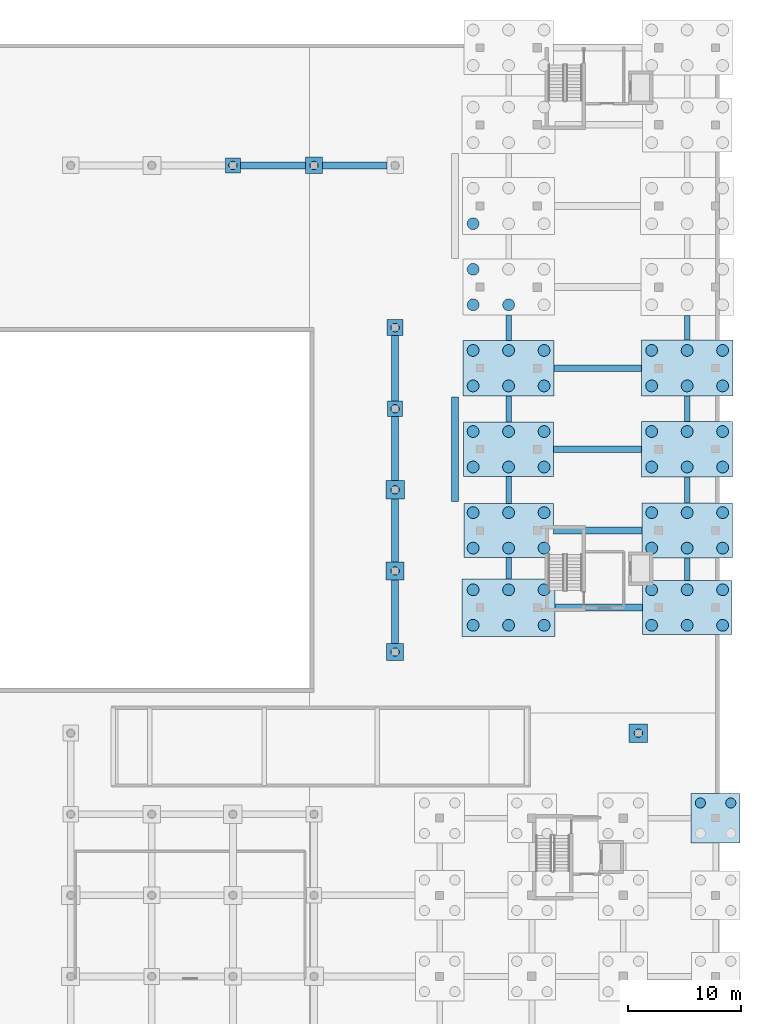
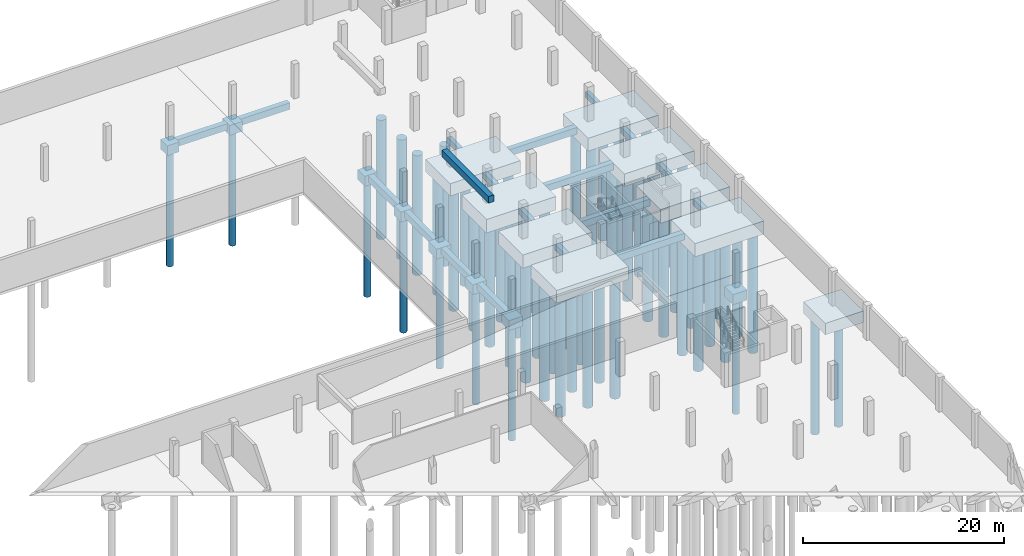
# One storey, part 12 of 36: 62 piles, 36 footings.
"""IFC4 building model written with IfcOpenShell, lengths in metres."""

from ifc_helpers import new_model, si_unit, derived_unit, direction, frame, origin, origin_2d, place, context, subcontext, project, spatial, polyline, rectangle, circle, outline, extrude, material, material_profile, profile_set, type_object, element, save


model = new_model("IFC4")

# Units and contexts
model_context = context("Model", 3, precision=1e-05, world=origin(), true_north=direction((0.0, 1.0)))
body_context = subcontext(model_context, "Body", "Model", "MODEL_VIEW")
ifc_project = project(units=[si_unit("LENGTHUNIT", "METRE"), si_unit("AREAUNIT", "SQUARE_METRE"), si_unit("VOLUMEUNIT", "CUBIC_METRE"), si_unit("PLANEANGLEUNIT", "RADIAN"), si_unit("MASSUNIT", "GRAM", prefix="KILO"), derived_unit("THERMALTRANSMITTANCEUNIT", [(si_unit("MASSUNIT", "GRAM", prefix="KILO"), 1), (si_unit("TIMEUNIT", "SECOND"), -3), (si_unit("THERMODYNAMICTEMPERATUREUNIT", "KELVIN"), -1)])], contexts=[model_context])

# Site, building, storey
site_placement = place(None, origin())
site = spatial("IfcSite", under=ifc_project, at=site_placement, CompositionType="ELEMENT")
building_placement = place(site_placement, origin())
building = spatial("IfcBuilding", under=site, at=building_placement, Name="Ochrekiln Boulevard Commons", CompositionType="ELEMENT")
storey_placement = place(building_placement, frame((0.0, 0.0, -4.199951171875)))
storey = spatial("IfcBuildingStorey", under=building, at=storey_placement, Name="B1", CompositionType="ELEMENT", Elevation=-4.199951171875)

# Footings
ifc_material = material(Name="Concrete C35/45", Category="concrete")
footing_type_1 = type_object("IfcFootingType", Name="CAP-RC-1350x1350x1200", PredefinedType="PILE_CAP", material=ifc_material)
for number, where, z_axis, x_axis, name in (
    (1, (129.60009765625, 108.0, -1.5), (0.0, 0.0, 1.0), (1.0, 0.0, 0.0), "Reinforced Concrete Pile Cap PC-27 (162)"),
    (2, (144.0, 86.39990234375, -1.5), (0.0, 0.0, 1.0), (1.0, 0.0, 0.0), "Reinforced Concrete Pile Cap PC-27 (174)"),
):
    element("IfcFooting", number, at=place(storey_placement, frame(where, z_axis=z_axis, x_axis=x_axis)), inside=storey, type_object=footing_type_1, Name=name, PredefinedType="PILE_CAP", context=body_context, shape_type="SweptSolid", body=[
        extrude(rectangle(XDim=1.35009765625, YDim=1.35009765625, at=origin_2d()), origin(), (0.0, 0.0, 1.0), 1.199951171875),
    ])
footing_type_2 = type_object("IfcFootingType", Name="CAP-RC-1410x1410x1200", PredefinedType="PILE_CAP", material=ifc_material)
footing_1_placement = place(storey_placement, frame((144.0, 93.60009765625, -1.5), z_axis=(0.0, 0.0, 1.0), x_axis=(1.0, 0.0, 0.0)))
element("IfcFooting", 3, at=footing_1_placement, inside=storey, type_object=footing_type_2, Name="Reinforced Concrete Pile Cap PC-28 (175)", PredefinedType="PILE_CAP", context=body_context, shape_type="SweptSolid", body=[
    extrude(rectangle(XDim=1.409912109375, YDim=1.409912109375, at=origin_2d()), origin(), (0.0, 0.0, 1.0), 1.199951171875),
])
footing_type_3 = type_object("IfcFootingType", Name="CAP-RC-1470x1470x1200", PredefinedType="PILE_CAP", material=ifc_material)
footing_2_placement = place(storey_placement, frame((136.800048828125, 108.0, -1.5), z_axis=(0.0, 0.0, 1.0), x_axis=(1.0, 0.0, 0.0)))
element("IfcFooting", 4, at=footing_2_placement, inside=storey, type_object=footing_type_3, Name="Reinforced Concrete Pile Cap PC-29 (170)", PredefinedType="PILE_CAP", context=body_context, shape_type="SweptSolid", body=[
    extrude(rectangle(XDim=1.469970703125, YDim=1.469970703125, at=origin_2d()), origin(), (0.0, 0.0, 1.0), 1.199951171875),
])
footing_type_4 = type_object("IfcFootingType", Name="CAP-RC-1530x1530x1200", PredefinedType="PILE_CAP", material=ifc_material)
footing_3_placement = place(storey_placement, frame((144.0, 64.800048828125, -1.5), z_axis=(0.0, 0.0, 1.0), x_axis=(1.0, 0.0, 0.0)))
element("IfcFooting", 5, at=footing_3_placement, inside=storey, type_object=footing_type_4, Name="Reinforced Concrete Pile Cap PC-30 (171)", PredefinedType="PILE_CAP", context=body_context, shape_type="SweptSolid", body=[
    extrude(rectangle(XDim=1.530029296875, YDim=1.530029296875, at=origin_2d()), origin(), (0.0, 0.0, 1.0), 1.199951171875),
])
footing_type_5 = type_object("IfcFootingType", Name="CAP-RC-1590x1590x1200", PredefinedType="PILE_CAP", material=ifc_material)
footing_4_placement = place(storey_placement, frame((144.0, 72.0, -1.5), z_axis=(0.0, 0.0, 1.0), x_axis=(1.0, 0.0, 0.0)))
element("IfcFooting", 6, at=footing_4_placement, inside=storey, type_object=footing_type_5, Name="Reinforced Concrete Pile Cap PC-26 (172)", PredefinedType="PILE_CAP", context=body_context, shape_type="SweptSolid", body=[
    extrude(rectangle(XDim=1.590087890625, YDim=1.590087890625, at=origin_2d()), origin(), (0.0, 0.0, 1.0), 1.199951171875),
])
footing_type_6 = type_object("IfcFootingType", Name="CAP-RC-1650x1650x1200", PredefinedType="PILE_CAP", material=ifc_material)
for number, where, z_axis, x_axis, name in (
    (7, (144.0, 79.199951171875, -1.5), (0.0, 0.0, 1.0), (1.0, 0.0, 0.0), "Reinforced Concrete Pile Cap PC-17 (173)"),
    (8, (165.60009765625, 57.60009765625, -1.5), (0.0, 0.0, 1.0), (1.0, 0.0, 0.0), "Reinforced Concrete Pile Cap PC-17 (209)"),
):
    element("IfcFooting", number, at=place(storey_placement, frame(where, z_axis=z_axis, x_axis=x_axis)), inside=storey, type_object=footing_type_6, Name=name, PredefinedType="PILE_CAP", context=body_context, shape_type="SweptSolid", body=[
        extrude(rectangle(XDim=1.64990234375, YDim=1.64990234375, at=origin_2d()), origin(), (0.0, 0.0, 1.0), 1.199951171875),
    ])
footing_type_7 = type_object("IfcFootingType", Name="CAP-RC-4380x4380x1400", PredefinedType="PILE_CAP", material=ifc_material)
footing_5_placement = place(storey_placement, frame((172.449951171875, 50.050048828125, -1.699951171875), z_axis=(0.0, 0.0, 1.0), x_axis=(1.0, 0.0, 0.0)))
element("IfcFooting", 9, at=footing_5_placement, inside=storey, type_object=footing_type_7, Name="Reinforced Concrete Pile Cap PC-42 (225)", PredefinedType="PILE_CAP", context=body_context, shape_type="SweptSolid", body=[
    extrude(rectangle(XDim=4.3798828125, YDim=4.3798828125, at=origin_2d()), origin(), (0.0, 0.0, 1.0), 1.39990234375),
])
footing_type_8 = type_object("IfcFootingType", Name="CAP-RC-7950x4800x1600", PredefinedType="PILE_CAP", material=ifc_material)
for number, where, z_axis, x_axis, name in (
    (10, (154.074951171875, 75.60009765625, -1.900146484375), (0.0, 0.0, 1.0), (1.0, 0.0, 0.0), "Reinforced Concrete Pile Cap PC-23 (186)"),
    (11, (169.925048828125, 68.75, -1.900146484375), (0.0, 0.0, 1.0), (1.0, 0.0, 0.0), "Reinforced Concrete Pile Cap PC-23 (210)"),
):
    element("IfcFooting", number, at=place(storey_placement, frame(where, z_axis=z_axis, x_axis=x_axis)), inside=storey, type_object=footing_type_8, Name=name, PredefinedType="PILE_CAP", context=body_context, shape_type="SweptSolid", body=[
        extrude(rectangle(XDim=7.949951171875, YDim=4.800048828125, at=origin_2d()), origin(), (0.0, 0.0, 1.0), 1.60009765625),
    ])
footing_type_9 = type_object("IfcFootingType", Name="CAP-RC-8010x4860x1650", PredefinedType="PILE_CAP", material=ifc_material)
for number, where, z_axis, x_axis, name in (
    (12, (154.074951171875, 82.800048828125, -1.949951171875), (0.0, 0.0, 1.0), (1.0, 0.0, 0.0), "Reinforced Concrete Pile Cap PC-24 (187)"),
    (13, (169.925048828125, 75.60009765625, -1.949951171875), (0.0, 0.0, 1.0), (1.0, 0.0, 0.0), "Reinforced Concrete Pile Cap PC-24 (211)"),
):
    element("IfcFooting", number, at=place(storey_placement, frame(where, z_axis=z_axis, x_axis=x_axis)), inside=storey, type_object=footing_type_9, Name=name, PredefinedType="PILE_CAP", context=body_context, shape_type="SweptSolid", body=[
        extrude(rectangle(XDim=8.010009765625, YDim=4.860107421875, at=origin_2d()), origin(), (0.0, 0.0, 1.0), 1.64990234375),
    ])
footing_type_10 = type_object("IfcFootingType", Name="CAP-RC-8070x4920x1500", PredefinedType="PILE_CAP", material=ifc_material)
for number, where, z_axis, x_axis, name in (
    (14, (154.074951171875, 90.0, -1.800048828125), (0.0, 0.0, 1.0), (1.0, 0.0, 0.0), "Reinforced Concrete Pile Cap PC-25 (188)"),
    (15, (169.925048828125, 82.800048828125, -1.800048828125), (0.0, 0.0, 1.0), (1.0, 0.0, 0.0), "Reinforced Concrete Pile Cap PC-25 (212)"),
):
    element("IfcFooting", number, at=place(storey_placement, frame(where, z_axis=z_axis, x_axis=x_axis)), inside=storey, type_object=footing_type_10, Name=name, PredefinedType="PILE_CAP", context=body_context, shape_type="SweptSolid", body=[
        extrude(rectangle(XDim=8.070068359375, YDim=4.919921875, at=origin_2d()), origin(), (0.0, 0.0, 1.0), 1.5),
    ])
footing_type_11 = type_object("IfcFootingType", Name="CAP-RC-8130x4980x1550", PredefinedType="PILE_CAP", material=ifc_material)
footing_6_placement = place(storey_placement, frame((169.925048828125, 90.0, -1.85009765625), z_axis=(0.0, 0.0, 1.0), x_axis=(1.0, 0.0, 0.0)))
element("IfcFooting", 16, at=footing_6_placement, inside=storey, type_object=footing_type_11, Name="Reinforced Concrete Pile Cap PC-09 (213)", PredefinedType="PILE_CAP", context=body_context, shape_type="SweptSolid", body=[
    extrude(rectangle(XDim=8.1298828125, YDim=4.97998046875, at=origin_2d()), origin(), (0.0, 0.0, 1.0), 1.550048828125),
])
footing_type_12 = type_object("IfcFootingType", Name="CAP-RC-8250x5100x1550", PredefinedType="PILE_CAP", material=ifc_material)
footing_7_placement = place(storey_placement, frame((154.074951171875, 68.75, -1.85009765625), z_axis=(0.0, 0.0, 1.0), x_axis=(1.0, 0.0, 0.0)))
element("IfcFooting", 17, at=footing_7_placement, inside=storey, type_object=footing_type_12, Name="Reinforced Concrete Pile Cap PC-22 (185)", PredefinedType="PILE_CAP", context=body_context, shape_type="SweptSolid", body=[
    extrude(rectangle(XDim=8.25, YDim=5.10009765625, at=origin_2d()), origin(), (0.0, 0.0, 1.0), 1.550048828125),
])
footing_type_13 = type_object("IfcFootingType", Name="FTG-BEAM-500x700", PredefinedType="FOOTING_BEAM", material=ifc_material)
footing_8_placement = place(storey_placement, frame((0.0, 0.0, -1.0)))
element("IfcFooting", 18, at=footing_8_placement, inside=storey, type_object=footing_type_13, Name="Seismic Footing Tie Beam FB-5070 Y-293", PredefinedType="FOOTING_BEAM", context=body_context, shape_type="SweptSolid", body=[
    extrude(outline(polyline([(153.824951171875, 71.300048828125), (154.324951171875, 71.300048828125), (154.324951171875, 73.199951171875), (153.824951171875, 73.199951171875), (153.824951171875, 71.300048828125)])), origin(), (0.0, 0.0, 1.0), 0.699951171875),
])
footing_9_placement = place(storey_placement, frame((0.0, 0.0, -1.0)))
element("IfcFooting", 19, at=footing_9_placement, inside=storey, type_object=footing_type_13, Name="Seismic Footing Tie Beam FB-5070 Y-294", PredefinedType="FOOTING_BEAM", context=body_context, shape_type="SweptSolid", body=[
    extrude(outline(polyline([(153.824951171875, 78.0), (154.324951171875, 78.0), (154.324951171875, 80.3701171875), (153.824951171875, 80.3701171875), (153.824951171875, 78.0)])), origin(), (0.0, 0.0, 1.0), 0.699951171875),
])
footing_10_placement = place(storey_placement, frame((0.0, 0.0, -1.0)))
element("IfcFooting", 20, at=footing_10_placement, inside=storey, type_object=footing_type_13, Name="Seismic Footing Tie Beam FB-5070 Y-295", PredefinedType="FOOTING_BEAM", context=body_context, shape_type="SweptSolid", body=[
    extrude(outline(polyline([(153.824951171875, 85.22998046875), (154.324951171875, 85.22998046875), (154.324951171875, 87.5400390625), (153.824951171875, 87.5400390625), (153.824951171875, 85.22998046875)])), origin(), (0.0, 0.0, 1.0), 0.699951171875),
])
footing_11_placement = place(storey_placement, frame((0.0, 0.0, -1.0)))
element("IfcFooting", 21, at=footing_11_placement, inside=storey, type_object=footing_type_13, Name="Seismic Footing Tie Beam FB-5070 Y-296", PredefinedType="FOOTING_BEAM", context=body_context, shape_type="SweptSolid", body=[
    extrude(outline(polyline([(153.824951171875, 92.4599609375), (154.324951171875, 92.4599609375), (154.324951171875, 94.7099609375), (153.824951171875, 94.7099609375), (153.824951171875, 92.4599609375)])), origin(), (0.0, 0.0, 1.0), 0.699951171875),
])
footing_12_placement = place(storey_placement, frame((0.0, 0.0, -1.0)))
element("IfcFooting", 22, at=footing_12_placement, inside=storey, type_object=footing_type_13, Name="Seismic Footing Tie Beam FB-5070 Y-314", PredefinedType="FOOTING_BEAM", context=body_context, shape_type="SweptSolid", body=[
    extrude(outline(polyline([(169.675048828125, 71.14990234375), (170.175048828125, 71.14990234375), (170.175048828125, 73.169921875), (169.675048828125, 73.169921875), (169.675048828125, 71.14990234375)])), origin(), (0.0, 0.0, 1.0), 0.699951171875),
])
footing_13_placement = place(storey_placement, frame((0.0, 0.0, -1.0)))
element("IfcFooting", 23, at=footing_13_placement, inside=storey, type_object=footing_type_13, Name="Seismic Footing Tie Beam FB-5070 Y-315", PredefinedType="FOOTING_BEAM", context=body_context, shape_type="SweptSolid", body=[
    extrude(outline(polyline([(169.675048828125, 78.030029296875), (170.175048828125, 78.030029296875), (170.175048828125, 80.340087890625), (169.675048828125, 80.340087890625), (169.675048828125, 78.030029296875)])), origin(), (0.0, 0.0, 1.0), 0.699951171875),
])
footing_14_placement = place(storey_placement, frame((0.0, 0.0, -1.0)))
element("IfcFooting", 24, at=footing_14_placement, inside=storey, type_object=footing_type_13, Name="Seismic Footing Tie Beam FB-5070 Y-316", PredefinedType="FOOTING_BEAM", context=body_context, shape_type="SweptSolid", body=[
    extrude(outline(polyline([(169.675048828125, 85.260009765625), (170.175048828125, 85.260009765625), (170.175048828125, 87.510009765625), (169.675048828125, 87.510009765625), (169.675048828125, 85.260009765625)])), origin(), (0.0, 0.0, 1.0), 0.699951171875),
])
footing_15_placement = place(storey_placement, frame((0.0, 0.0, -1.0)))
element("IfcFooting", 25, at=footing_15_placement, inside=storey, type_object=footing_type_13, Name="Seismic Footing Tie Beam FB-5070 Y-317", PredefinedType="FOOTING_BEAM", context=body_context, shape_type="SweptSolid", body=[
    extrude(outline(polyline([(169.675048828125, 92.489990234375), (170.175048828125, 92.489990234375), (170.175048828125, 94.679931640625), (169.675048828125, 94.679931640625), (169.675048828125, 92.489990234375)])), origin(), (0.0, 0.0, 1.0), 0.699951171875),
])
footing_type_14 = type_object("IfcFootingType", Name="FTG-BEAM-600x800", PredefinedType="FOOTING_BEAM", material=ifc_material)
footing_16_placement = place(storey_placement, frame((0.0, 0.0, -1.10009765625)))
element("IfcFooting", 26, at=footing_16_placement, inside=storey, type_object=footing_type_14, Name="Seismic Footing Tie Beam FB-6080 X-94", PredefinedType="FOOTING_BEAM", context=body_context, shape_type="SweptSolid", body=[
    extrude(outline(polyline([(158.199951171875, 68.449951171875), (165.949951171875, 68.449951171875), (165.949951171875, 69.050048828125), (158.199951171875, 69.050048828125), (158.199951171875, 68.449951171875)])), origin(), (0.0, 0.0, 1.0), 0.800048828125),
])
footing_17_placement = place(storey_placement, frame((0.0, 0.0, -1.10009765625)))
element("IfcFooting", 27, at=footing_17_placement, inside=storey, type_object=footing_type_14, Name="Seismic Footing Tie Beam FB-6080 X-96", PredefinedType="FOOTING_BEAM", context=body_context, shape_type="SweptSolid", body=[
    extrude(outline(polyline([(158.050048828125, 75.300048828125), (165.919921875, 75.300048828125), (165.919921875, 75.89990234375), (158.050048828125, 75.89990234375), (158.050048828125, 75.300048828125)])), origin(), (0.0, 0.0, 1.0), 0.800048828125),
])
footing_18_placement = place(storey_placement, frame((0.0, 0.0, -1.10009765625)))
element("IfcFooting", 28, at=footing_18_placement, inside=storey, type_object=footing_type_14, Name="Seismic Footing Tie Beam FB-6080 X-98", PredefinedType="FOOTING_BEAM", context=body_context, shape_type="SweptSolid", body=[
    extrude(outline(polyline([(158.080078125, 82.5), (165.889892578125, 82.5), (165.889892578125, 83.10009765625), (158.080078125, 83.10009765625), (158.080078125, 82.5)])), origin(), (0.0, 0.0, 1.0), 0.800048828125),
])
footing_19_placement = place(storey_placement, frame((0.0, 0.0, -1.10009765625)))
element("IfcFooting", 29, at=footing_19_placement, inside=storey, type_object=footing_type_14, Name="Seismic Footing Tie Beam FB-6080 X-100", PredefinedType="FOOTING_BEAM", context=body_context, shape_type="SweptSolid", body=[
    extrude(outline(polyline([(158.110107421875, 89.699951171875), (165.860107421875, 89.699951171875), (165.860107421875, 90.300048828125), (158.110107421875, 90.300048828125), (158.110107421875, 89.699951171875)])), origin(), (0.0, 0.0, 1.0), 0.800048828125),
])
footing_20_placement = place(storey_placement, frame((0.0, 0.0, -1.10009765625)))
element("IfcFooting", 30, at=footing_20_placement, inside=storey, type_object=footing_type_14, Name="Seismic Footing Tie Beam FB-6080 X-138", PredefinedType="FOOTING_BEAM", context=body_context, shape_type="SweptSolid", body=[
    extrude(outline(polyline([(130.27490234375, 107.699951171875), (136.06494140625, 107.699951171875), (136.06494140625, 108.300048828125), (130.27490234375, 108.300048828125), (130.27490234375, 107.699951171875)])), origin(), (0.0, 0.0, 1.0), 0.800048828125),
])
footing_21_placement = place(storey_placement, frame((0.0, 0.0, -1.10009765625)))
element("IfcFooting", 31, at=footing_21_placement, inside=storey, type_object=footing_type_14, Name="Seismic Footing Tie Beam FB-6080 X-139", PredefinedType="FOOTING_BEAM", context=body_context, shape_type="SweptSolid", body=[
    extrude(outline(polyline([(137.534912109375, 107.699951171875), (143.264892578125, 107.699951171875), (143.264892578125, 108.300048828125), (137.534912109375, 108.300048828125), (137.534912109375, 107.699951171875)])), origin(), (0.0, 0.0, 1.0), 0.800048828125),
])
footing_22_placement = place(storey_placement, frame((0.0, 0.0, -1.10009765625)))
element("IfcFooting", 32, at=footing_22_placement, inside=storey, type_object=footing_type_14, Name="Seismic Footing Tie Beam FB-6080 Y-282", PredefinedType="FOOTING_BEAM", context=body_context, shape_type="SweptSolid", body=[
    extrude(outline(polyline([(143.699951171875, 65.56494140625), (144.300048828125, 65.56494140625), (144.300048828125, 71.205078125), (143.699951171875, 71.205078125), (143.699951171875, 65.56494140625)])), origin(), (0.0, 0.0, 1.0), 0.800048828125),
])
footing_23_placement = place(storey_placement, frame((0.0, 0.0, -1.10009765625)))
element("IfcFooting", 33, at=footing_23_placement, inside=storey, type_object=footing_type_14, Name="Seismic Footing Tie Beam FB-6080 Y-283", PredefinedType="FOOTING_BEAM", context=body_context, shape_type="SweptSolid", body=[
    extrude(outline(polyline([(143.699951171875, 72.794921875), (144.300048828125, 72.794921875), (144.300048828125, 78.375), (143.699951171875, 78.375), (143.699951171875, 72.794921875)])), origin(), (0.0, 0.0, 1.0), 0.800048828125),
])
footing_24_placement = place(storey_placement, frame((0.0, 0.0, -1.10009765625)))
element("IfcFooting", 34, at=footing_24_placement, inside=storey, type_object=footing_type_14, Name="Seismic Footing Tie Beam FB-6080 Y-284", PredefinedType="FOOTING_BEAM", context=body_context, shape_type="SweptSolid", body=[
    extrude(outline(polyline([(143.699951171875, 80.02490234375), (144.300048828125, 80.02490234375), (144.300048828125, 85.72509765625), (143.699951171875, 85.72509765625), (143.699951171875, 80.02490234375)])), origin(), (0.0, 0.0, 1.0), 0.800048828125),
])
footing_25_placement = place(storey_placement, frame((0.0, 0.0, -1.10009765625)))
element("IfcFooting", 35, at=footing_25_placement, inside=storey, type_object=footing_type_14, Name="Seismic Footing Tie Beam FB-6080 Y-285", PredefinedType="FOOTING_BEAM", context=body_context, shape_type="SweptSolid", body=[
    extrude(outline(polyline([(143.699951171875, 87.074951171875), (144.300048828125, 87.074951171875), (144.300048828125, 92.89501953125), (143.699951171875, 92.89501953125), (143.699951171875, 87.074951171875)])), origin(), (0.0, 0.0, 1.0), 0.800048828125),
])
footing_type_15 = type_object("IfcFootingType", Name="FTG-PAD-600x800", PredefinedType="PAD_FOOTING", material=ifc_material)
footing_26_placement = place(storey_placement, frame((0.0, 0.0, 3.39990234375)))
element("IfcFooting", 36, at=footing_26_placement, inside=storey, type_object=footing_type_15, Name="Reinforced Concrete Balcony Plinth Pad Footing FP-6080 Block B 1", PredefinedType="PAD_FOOTING", context=body_context, shape_type="SweptSolid", body=[
    extrude(outline(polyline([(149.02001953125, 78.14990234375), (149.6201171875, 78.14990234375), (149.6201171875, 87.449951171875), (149.02001953125, 87.449951171875), (149.02001953125, 78.14990234375)])), origin(), (0.0, 0.0, 1.0), 0.800048828125),
])

# Piles
ifc_material_profile_1 = material_profile(ifc_material, circle(Radius=0.52490234375, at=origin_2d()), Name="PILE-D1050")
ifc_profile_set_1 = profile_set([ifc_material_profile_1], Name="Concrete C35/45")
pile_type_1 = type_object("IfcPileType", Name="PILE-BORED-1050", PredefinedType="BORED", material=ifc_profile_set_1)
for number, where, z_axis, x_axis, name in (
    (37, (150.925048828125, 67.175048828125, -1.75), (0.0, 0.0, -1.0), (1.0, 0.0, 0.0), "Caliche-Socketed Bored Pile BP-1050 (185.1)"),
    (38, (150.925048828125, 70.324951171875, -1.75), (0.0, 0.0, -1.0), (1.0, 0.0, 0.0), "Caliche-Socketed Bored Pile BP-1050 (185.2)"),
    (39, (154.074951171875, 67.175048828125, -1.75), (0.0, 0.0, -1.0), (1.0, 0.0, 0.0), "Caliche-Socketed Bored Pile BP-1050 (185.3)"),
    (40, (154.074951171875, 70.324951171875, -1.75), (0.0, 0.0, -1.0), (1.0, 0.0, 0.0), "Caliche-Socketed Bored Pile BP-1050 (185.4)"),
    (41, (157.22509765625, 67.175048828125, -1.75), (0.0, 0.0, -1.0), (1.0, 0.0, 0.0), "Caliche-Socketed Bored Pile BP-1050 (185.5)"),
    (42, (157.22509765625, 70.324951171875, -1.75), (0.0, 0.0, -1.0), (1.0, 0.0, 0.0), "Caliche-Socketed Bored Pile BP-1050 (185.6)"),
):
    element("IfcPile", number, at=place(storey_placement, frame(where, z_axis=z_axis, x_axis=x_axis)), inside=storey, type_object=pile_type_1, Name=name, PredefinedType="BORED", context=body_context, shape_type="SweptSolid", body=[
        extrude(circle(Radius=0.52490234375, at=origin_2d()), origin(), (0.0, 0.0, 1.0), 14.550048828125),
    ])
for number, where, z_axis, x_axis, name in (
    (43, (150.925048828125, 74.02490234375, -1.800048828125), (0.0, 0.0, -1.0), (1.0, 0.0, 0.0), "Caliche-Socketed Bored Pile BP-1050 (186.1)"),
    (44, (150.925048828125, 77.175048828125, -1.800048828125), (0.0, 0.0, -1.0), (1.0, 0.0, 0.0), "Caliche-Socketed Bored Pile BP-1050 (186.2)"),
    (45, (154.074951171875, 74.02490234375, -1.800048828125), (0.0, 0.0, -1.0), (1.0, 0.0, 0.0), "Caliche-Socketed Bored Pile BP-1050 (186.3)"),
    (46, (154.074951171875, 77.175048828125, -1.800048828125), (0.0, 0.0, -1.0), (1.0, 0.0, 0.0), "Caliche-Socketed Bored Pile BP-1050 (186.4)"),
    (47, (157.22509765625, 74.02490234375, -1.800048828125), (0.0, 0.0, -1.0), (1.0, 0.0, 0.0), "Caliche-Socketed Bored Pile BP-1050 (186.5)"),
    (48, (157.22509765625, 77.175048828125, -1.800048828125), (0.0, 0.0, -1.0), (1.0, 0.0, 0.0), "Caliche-Socketed Bored Pile BP-1050 (186.6)"),
):
    element("IfcPile", number, at=place(storey_placement, frame(where, z_axis=z_axis, x_axis=x_axis)), inside=storey, type_object=pile_type_1, Name=name, PredefinedType="BORED", context=body_context, shape_type="SweptSolid", body=[
        extrude(circle(Radius=0.52490234375, at=origin_2d()), origin(), (0.0, 0.0, 1.0), 14.5),
    ])
for number, where, z_axis, x_axis, name in (
    (49, (150.925048828125, 81.22509765625, -1.85009765625), (0.0, 0.0, -1.0), (1.0, 0.0, 0.0), "Caliche-Socketed Bored Pile BP-1050 (187.1)"),
    (50, (150.925048828125, 84.375, -1.85009765625), (0.0, 0.0, -1.0), (1.0, 0.0, 0.0), "Caliche-Socketed Bored Pile BP-1050 (187.2)"),
    (51, (154.074951171875, 81.22509765625, -1.85009765625), (0.0, 0.0, -1.0), (1.0, 0.0, 0.0), "Caliche-Socketed Bored Pile BP-1050 (187.3)"),
    (52, (154.074951171875, 84.375, -1.85009765625), (0.0, 0.0, -1.0), (1.0, 0.0, 0.0), "Caliche-Socketed Bored Pile BP-1050 (187.4)"),
    (53, (157.22509765625, 81.22509765625, -1.85009765625), (0.0, 0.0, -1.0), (1.0, 0.0, 0.0), "Caliche-Socketed Bored Pile BP-1050 (187.5)"),
    (54, (157.22509765625, 84.375, -1.85009765625), (0.0, 0.0, -1.0), (1.0, 0.0, 0.0), "Caliche-Socketed Bored Pile BP-1050 (187.6)"),
):
    element("IfcPile", number, at=place(storey_placement, frame(where, z_axis=z_axis, x_axis=x_axis)), inside=storey, type_object=pile_type_1, Name=name, PredefinedType="BORED", context=body_context, shape_type="SweptSolid", body=[
        extrude(circle(Radius=0.52490234375, at=origin_2d()), origin(), (0.0, 0.0, 1.0), 14.449951171875),
    ])
for number, where, z_axis, x_axis, name in (
    (55, (150.925048828125, 88.425048828125, -1.699951171875), (0.0, 0.0, -1.0), (1.0, 0.0, 0.0), "Caliche-Socketed Bored Pile BP-1050 (188.1)"),
    (56, (150.925048828125, 91.574951171875, -1.699951171875), (0.0, 0.0, -1.0), (1.0, 0.0, 0.0), "Caliche-Socketed Bored Pile BP-1050 (188.2)"),
    (57, (154.074951171875, 88.425048828125, -1.699951171875), (0.0, 0.0, -1.0), (1.0, 0.0, 0.0), "Caliche-Socketed Bored Pile BP-1050 (188.3)"),
    (58, (154.074951171875, 91.574951171875, -1.699951171875), (0.0, 0.0, -1.0), (1.0, 0.0, 0.0), "Caliche-Socketed Bored Pile BP-1050 (188.4)"),
    (59, (157.22509765625, 88.425048828125, -1.699951171875), (0.0, 0.0, -1.0), (1.0, 0.0, 0.0), "Caliche-Socketed Bored Pile BP-1050 (188.5)"),
    (60, (157.22509765625, 91.574951171875, -1.699951171875), (0.0, 0.0, -1.0), (1.0, 0.0, 0.0), "Caliche-Socketed Bored Pile BP-1050 (188.6)"),
):
    element("IfcPile", number, at=place(storey_placement, frame(where, z_axis=z_axis, x_axis=x_axis)), inside=storey, type_object=pile_type_1, Name=name, PredefinedType="BORED", context=body_context, shape_type="SweptSolid", body=[
        extrude(circle(Radius=0.52490234375, at=origin_2d()), origin(), (0.0, 0.0, 1.0), 14.60009765625),
    ])
for number, where, z_axis, x_axis, name in (
    (61, (150.925048828125, 95.625, -1.75), (0.0, 0.0, -1.0), (1.0, 0.0, 0.0), "Caliche-Socketed Bored Pile BP-1050 (189.1)"),
    (62, (150.925048828125, 98.77490234375, -1.75), (0.0, 0.0, -1.0), (1.0, 0.0, 0.0), "Caliche-Socketed Bored Pile BP-1050 (189.2)"),
    (63, (154.074951171875, 95.625, -1.75), (0.0, 0.0, -1.0), (1.0, 0.0, 0.0), "Caliche-Socketed Bored Pile BP-1050 (189.3)"),
):
    element("IfcPile", number, at=place(storey_placement, frame(where, z_axis=z_axis, x_axis=x_axis)), inside=storey, type_object=pile_type_1, Name=name, PredefinedType="BORED", context=body_context, shape_type="SweptSolid", body=[
        extrude(circle(Radius=0.52490234375, at=origin_2d()), origin(), (0.0, 0.0, 1.0), 14.550048828125),
    ])
for number, where, z_axis, x_axis, name in (
    (64, (150.925048828125, 102.824951171875, -1.800048828125), (0.0, 0.0, -1.0), (1.0, 0.0, 0.0), "Caliche-Socketed Bored Pile BP-1050 (190.1)"),
    (65, (166.77490234375, 67.175048828125, -1.800048828125), (0.0, 0.0, -1.0), (1.0, 0.0, 0.0), "Caliche-Socketed Bored Pile BP-1050 (210.1)"),
    (66, (166.77490234375, 70.324951171875, -1.800048828125), (0.0, 0.0, -1.0), (1.0, 0.0, 0.0), "Caliche-Socketed Bored Pile BP-1050 (210.2)"),
    (67, (169.925048828125, 67.175048828125, -1.800048828125), (0.0, 0.0, -1.0), (1.0, 0.0, 0.0), "Caliche-Socketed Bored Pile BP-1050 (210.3)"),
    (68, (169.925048828125, 70.324951171875, -1.800048828125), (0.0, 0.0, -1.0), (1.0, 0.0, 0.0), "Caliche-Socketed Bored Pile BP-1050 (210.4)"),
    (69, (173.074951171875, 67.175048828125, -1.800048828125), (0.0, 0.0, -1.0), (1.0, 0.0, 0.0), "Caliche-Socketed Bored Pile BP-1050 (210.5)"),
    (70, (173.074951171875, 70.324951171875, -1.800048828125), (0.0, 0.0, -1.0), (1.0, 0.0, 0.0), "Caliche-Socketed Bored Pile BP-1050 (210.6)"),
):
    element("IfcPile", number, at=place(storey_placement, frame(where, z_axis=z_axis, x_axis=x_axis)), inside=storey, type_object=pile_type_1, Name=name, PredefinedType="BORED", context=body_context, shape_type="SweptSolid", body=[
        extrude(circle(Radius=0.52490234375, at=origin_2d()), origin(), (0.0, 0.0, 1.0), 14.5),
    ])
for number, where, z_axis, x_axis, name in (
    (71, (166.77490234375, 74.02490234375, -1.85009765625), (0.0, 0.0, -1.0), (1.0, 0.0, 0.0), "Caliche-Socketed Bored Pile BP-1050 (211.1)"),
    (72, (166.77490234375, 77.175048828125, -1.85009765625), (0.0, 0.0, -1.0), (1.0, 0.0, 0.0), "Caliche-Socketed Bored Pile BP-1050 (211.2)"),
    (73, (169.925048828125, 74.02490234375, -1.85009765625), (0.0, 0.0, -1.0), (1.0, 0.0, 0.0), "Caliche-Socketed Bored Pile BP-1050 (211.3)"),
    (74, (169.925048828125, 77.175048828125, -1.85009765625), (0.0, 0.0, -1.0), (1.0, 0.0, 0.0), "Caliche-Socketed Bored Pile BP-1050 (211.4)"),
    (75, (173.074951171875, 74.02490234375, -1.85009765625), (0.0, 0.0, -1.0), (1.0, 0.0, 0.0), "Caliche-Socketed Bored Pile BP-1050 (211.5)"),
    (76, (173.074951171875, 77.175048828125, -1.85009765625), (0.0, 0.0, -1.0), (1.0, 0.0, 0.0), "Caliche-Socketed Bored Pile BP-1050 (211.6)"),
):
    element("IfcPile", number, at=place(storey_placement, frame(where, z_axis=z_axis, x_axis=x_axis)), inside=storey, type_object=pile_type_1, Name=name, PredefinedType="BORED", context=body_context, shape_type="SweptSolid", body=[
        extrude(circle(Radius=0.52490234375, at=origin_2d()), origin(), (0.0, 0.0, 1.0), 14.449951171875),
    ])
for number, where, z_axis, x_axis, name in (
    (77, (166.77490234375, 81.22509765625, -1.699951171875), (0.0, 0.0, -1.0), (1.0, 0.0, 0.0), "Caliche-Socketed Bored Pile BP-1050 (212.1)"),
    (78, (166.77490234375, 84.375, -1.699951171875), (0.0, 0.0, -1.0), (1.0, 0.0, 0.0), "Caliche-Socketed Bored Pile BP-1050 (212.2)"),
    (79, (169.925048828125, 81.22509765625, -1.699951171875), (0.0, 0.0, -1.0), (1.0, 0.0, 0.0), "Caliche-Socketed Bored Pile BP-1050 (212.3)"),
    (80, (169.925048828125, 84.375, -1.699951171875), (0.0, 0.0, -1.0), (1.0, 0.0, 0.0), "Caliche-Socketed Bored Pile BP-1050 (212.4)"),
    (81, (173.074951171875, 81.22509765625, -1.699951171875), (0.0, 0.0, -1.0), (1.0, 0.0, 0.0), "Caliche-Socketed Bored Pile BP-1050 (212.5)"),
    (82, (173.074951171875, 84.375, -1.699951171875), (0.0, 0.0, -1.0), (1.0, 0.0, 0.0), "Caliche-Socketed Bored Pile BP-1050 (212.6)"),
):
    element("IfcPile", number, at=place(storey_placement, frame(where, z_axis=z_axis, x_axis=x_axis)), inside=storey, type_object=pile_type_1, Name=name, PredefinedType="BORED", context=body_context, shape_type="SweptSolid", body=[
        extrude(circle(Radius=0.52490234375, at=origin_2d()), origin(), (0.0, 0.0, 1.0), 14.60009765625),
    ])
for number, where, z_axis, x_axis, name in (
    (83, (166.77490234375, 88.425048828125, -1.75), (0.0, 0.0, -1.0), (1.0, 0.0, 0.0), "Caliche-Socketed Bored Pile BP-1050 (213.1)"),
    (84, (166.77490234375, 91.574951171875, -1.75), (0.0, 0.0, -1.0), (1.0, 0.0, 0.0), "Caliche-Socketed Bored Pile BP-1050 (213.2)"),
    (85, (169.925048828125, 88.425048828125, -1.75), (0.0, 0.0, -1.0), (1.0, 0.0, 0.0), "Caliche-Socketed Bored Pile BP-1050 (213.3)"),
    (86, (169.925048828125, 91.574951171875, -1.75), (0.0, 0.0, -1.0), (1.0, 0.0, 0.0), "Caliche-Socketed Bored Pile BP-1050 (213.4)"),
    (87, (173.074951171875, 88.425048828125, -1.75), (0.0, 0.0, -1.0), (1.0, 0.0, 0.0), "Caliche-Socketed Bored Pile BP-1050 (213.5)"),
    (88, (173.074951171875, 91.574951171875, -1.75), (0.0, 0.0, -1.0), (1.0, 0.0, 0.0), "Caliche-Socketed Bored Pile BP-1050 (213.6)"),
):
    element("IfcPile", number, at=place(storey_placement, frame(where, z_axis=z_axis, x_axis=x_axis)), inside=storey, type_object=pile_type_1, Name=name, PredefinedType="BORED", context=body_context, shape_type="SweptSolid", body=[
        extrude(circle(Radius=0.52490234375, at=origin_2d()), origin(), (0.0, 0.0, 1.0), 14.550048828125),
    ])
ifc_material_profile_2 = material_profile(ifc_material, circle(Radius=0.375, at=origin_2d()), Name="PILE-D750")
ifc_profile_set_2 = profile_set([ifc_material_profile_2], Name="Concrete C35/45")
pile_type_2 = type_object("IfcPileType", Name="PILE-BORED-750", PredefinedType="BORED", material=ifc_profile_set_2)
for number, where, z_axis, x_axis, name in (
    (89, (129.60009765625, 108.0, -1.400146484375), (0.0, 0.0, -1.0), (1.0, 0.0, 0.0), "Caliche-Socketed Bored Pile BP-750 (162.1)"),
    (90, (136.800048828125, 108.0, -1.400146484375), (0.0, 0.0, -1.0), (1.0, 0.0, 0.0), "Caliche-Socketed Bored Pile BP-750 (170.1)"),
    (91, (144.0, 64.800048828125, -1.400146484375), (0.0, 0.0, -1.0), (1.0, 0.0, 0.0), "Caliche-Socketed Bored Pile BP-750 (171.1)"),
    (92, (144.0, 72.0, -1.400146484375), (0.0, 0.0, -1.0), (1.0, 0.0, 0.0), "Caliche-Socketed Bored Pile BP-750 (172.1)"),
    (93, (144.0, 79.199951171875, -1.400146484375), (0.0, 0.0, -1.0), (1.0, 0.0, 0.0), "Caliche-Socketed Bored Pile BP-750 (173.1)"),
    (94, (144.0, 86.39990234375, -1.400146484375), (0.0, 0.0, -1.0), (1.0, 0.0, 0.0), "Caliche-Socketed Bored Pile BP-750 (174.1)"),
    (95, (144.0, 93.60009765625, -1.400146484375), (0.0, 0.0, -1.0), (1.0, 0.0, 0.0), "Caliche-Socketed Bored Pile BP-750 (175.1)"),
    (96, (165.60009765625, 57.60009765625, -1.400146484375), (0.0, 0.0, -1.0), (1.0, 0.0, 0.0), "Caliche-Socketed Bored Pile BP-750 (209.1)"),
):
    element("IfcPile", number, at=place(storey_placement, frame(where, z_axis=z_axis, x_axis=x_axis)), inside=storey, type_object=pile_type_2, Name=name, PredefinedType="BORED", context=body_context, shape_type="SweptSolid", body=[
        extrude(circle(Radius=0.375, at=origin_2d()), origin(), (0.0, 0.0, 1.0), 14.0),
    ])
ifc_material_profile_3 = material_profile(ifc_material, circle(Radius=0.449951171875, at=origin_2d()), Name="PILE-D900")
ifc_profile_set_3 = profile_set([ifc_material_profile_3], Name="Concrete C35/45")
pile_type_3 = type_object("IfcPileType", Name="PILE-BORED-900", PredefinedType="BORED", material=ifc_profile_set_3)
for number, where, z_axis, x_axis, name in (
    (97, (171.10009765625, 51.39990234375, -1.60009765625), (0.0, 0.0, -1.0), (1.0, 0.0, 0.0), "Caliche-Socketed Bored Pile BP-900 (225.2)"),
    (98, (173.800048828125, 51.39990234375, -1.60009765625), (0.0, 0.0, -1.0), (1.0, 0.0, 0.0), "Caliche-Socketed Bored Pile BP-900 (225.4)"),
):
    element("IfcPile", number, at=place(storey_placement, frame(where, z_axis=z_axis, x_axis=x_axis)), inside=storey, type_object=pile_type_3, Name=name, PredefinedType="BORED", context=body_context, shape_type="SweptSolid", body=[
        extrude(circle(Radius=0.449951171875, at=origin_2d()), origin(), (0.0, 0.0, 1.0), 14.39990234375),
    ])

save(model, "model.ifc")
